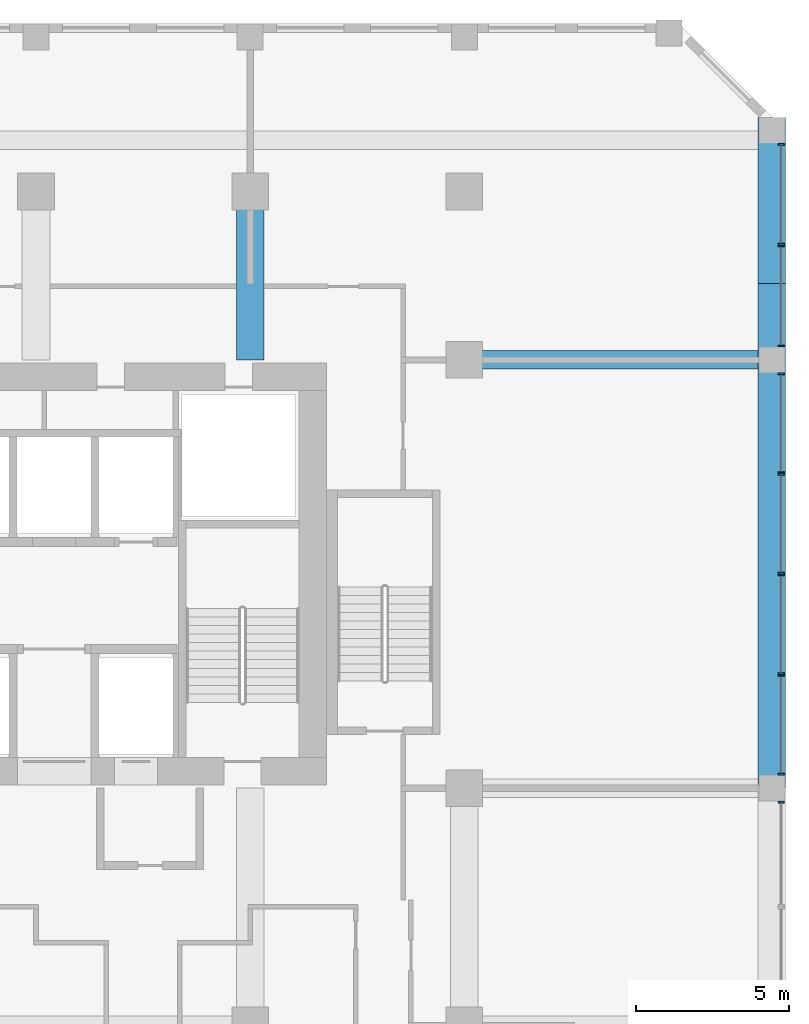
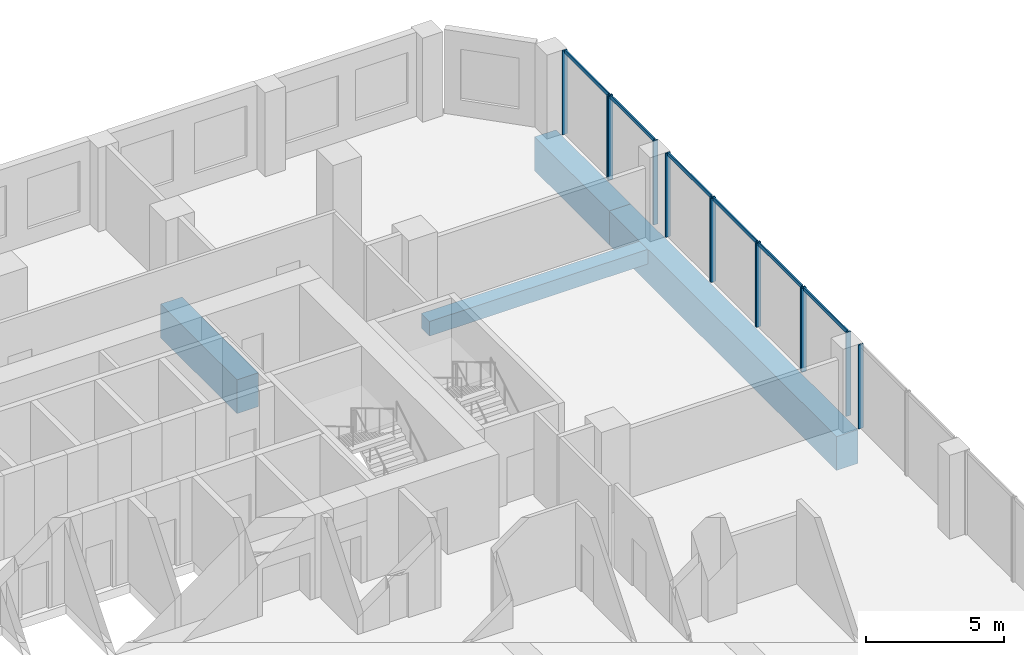
# One storey, part 7 of 17: 19 members, 4 beams, 7 elements without a shape of their own.
"""IFC4 building model written with IfcOpenShell, lengths in metres."""

from ifc_helpers import new_model, si_unit, direction, frame, origin, origin_2d, place, context, subcontext, project, spatial, rectangle, extrude, source, transform, mapped, material, material_profile, profile_set, type_object, element, aggregate, save


model = new_model("IFC4")

# Units and contexts
model_context = context("Model", 3, precision=1e-05, world=origin(), true_north=direction((0.0, 1.0)))
body_context = subcontext(model_context, "Body", "Model", "MODEL_VIEW")
ifc_project = project(units=[si_unit("LENGTHUNIT", "METRE"), si_unit("AREAUNIT", "SQUARE_METRE"), si_unit("VOLUMEUNIT", "CUBIC_METRE"), si_unit("PLANEANGLEUNIT", "RADIAN"), si_unit("MASSUNIT", "GRAM", prefix="KILO")], contexts=[model_context])

# Site, building, storey
site_placement = place(None, origin())
site = spatial("IfcSite", under=ifc_project, at=site_placement, CompositionType="ELEMENT")
building_placement = place(site_placement, origin())
building = spatial("IfcBuilding", under=site, at=building_placement, Name="Kilnfold Tower and Market Hall", CompositionType="ELEMENT")
storey_placement = place(building_placement, frame((0.0, 0.0, 100.60009765625)))
storey = spatial("IfcBuildingStorey", under=building, at=storey_placement, Name="L23", CompositionType="ELEMENT", Elevation=100.60009765625)

# Beams
ifc_material_1 = material(Name="Concrete C60", Category="concrete")
ifc_material_profile_1 = material_profile(ifc_material_1, rectangle(XDim=0.89990234375, YDim=1.5, at=origin_2d()), Name="RC 900x1500")
ifc_profile_set_1 = profile_set([ifc_material_profile_1], Name="Concrete C60")
beam_type_1 = type_object("IfcBeamType", Name="TRANSFER GIRDER 900X1500 C60", PredefinedType="BEAM", material=ifc_profile_set_1)
shared_shape_1 = source(origin(), body_context, "Body", "SweptSolid", [
    extrude(rectangle(XDim=0.89990234375, YDim=1.5, at=origin_2d()), origin(), (0.0, 0.0, 1.0), 5.550048828125),
])
beam_1_placement = place(storey_placement, frame((15.5, 22.0, -1.150146484375), z_axis=(0.0, 1.0, 0.0), x_axis=(-1.0, 0.0, 0.0)))
element("IfcBeam", 1, at=beam_1_placement, inside=storey, type_object=beam_type_1, Name="Beam TG1500-B3.27", PredefinedType="BEAM", context=body_context, shape_type="MappedRepresentation", body=[
    mapped(shared_shape_1, transform((0.0, 0.0, 0.0))),
])
shared_shape_2 = source(origin(), body_context, "Body", "SweptSolid", [
    extrude(rectangle(XDim=0.89990234375, YDim=1.5, at=origin_2d()), origin(), (0.0, 0.0, 1.0), 16.5),
])
beam_2_placement = place(storey_placement, frame((32.550048828125, 8.0, -1.150146484375), z_axis=(0.0, 1.0, 0.0), x_axis=(-1.0, 0.0, 0.0)))
element("IfcBeam", 2, at=beam_2_placement, inside=storey, type_object=beam_type_1, Name="Beam TG1500-B3.35", PredefinedType="BEAM", context=body_context, shape_type="MappedRepresentation", body=[
    mapped(shared_shape_2, transform((0.0, 0.0, 0.0))),
])
shared_shape_3 = source(origin(), body_context, "Body", "SweptSolid", [
    extrude(rectangle(XDim=0.89990234375, YDim=1.5, at=origin_2d()), origin(), (0.0, 0.0, 1.0), 5.425048828125),
])
beam_3_placement = place(storey_placement, frame((32.550048828125, 24.5, -1.150146484375), z_axis=(0.0, 1.0, 0.0), x_axis=(-1.0, 0.0, 0.0)))
element("IfcBeam", 3, at=beam_3_placement, inside=storey, type_object=beam_type_1, Name="Beam TG1500-B3.36", PredefinedType="BEAM", context=body_context, shape_type="MappedRepresentation", body=[
    mapped(shared_shape_3, transform((0.0, 0.0, 0.0))),
])
ifc_material_2 = material(Name="Concrete C45", Category="concrete")
ifc_material_profile_2 = material_profile(ifc_material_2, rectangle(XDim=0.60009765625, YDim=0.64990234375, at=origin_2d()), Name="RC 600x650")
ifc_profile_set_2 = profile_set([ifc_material_profile_2], Name="Concrete C45")
beam_type_2 = type_object("IfcBeamType", Name="BEAM 600X650 C45", PredefinedType="BEAM", material=ifc_profile_set_2)
shared_shape_4 = source(origin(), body_context, "Body", "SweptSolid", [
    extrude(rectangle(XDim=0.60009765625, YDim=0.64990234375, at=origin_2d()), origin(), (0.0, 0.0, 1.0), 9.150146484375),
])
beam_4_placement = place(storey_placement, frame((22.949951171875, 22.0, -0.72509765625), z_axis=(1.0, 0.0, 0.0), x_axis=(0.0, 1.0, 0.0)))
element("IfcBeam", 4, at=beam_4_placement, inside=storey, type_object=beam_type_2, Name="Beam BB650-B3.50", PredefinedType="BEAM", context=body_context, shape_type="MappedRepresentation", body=[
    mapped(shared_shape_4, transform((0.0, 0.0, 0.0))),
])

# Curtain wall, member
ifc_material_3 = material(Name="Aluminium and double glazing", Category="aluminium")
curtain_wall_type = type_object("IfcCurtainWallType", Name="CW OF2 VALLEY GLAZING", PredefinedType="NOTDEFINED", material=ifc_material_3)
curtain_wall_1_placement = place(storey_placement, origin())
curtain_wall_1 = element("IfcCurtainWall", 5, at=curtain_wall_1_placement, inside=storey, type_object=curtain_wall_type, Name="Curtain wall CW2 L23 E", PredefinedType="NOTDEFINED")
ifc_material_4 = material(Name="Aluminium", Category="aluminium")
ifc_material_profile_3 = material_profile(ifc_material_4, rectangle(XDim=0.06005859375, YDim=0.199951171875, at=origin_2d()), Name="MULLION 60x200")
ifc_profile_set_3 = profile_set([ifc_material_profile_3], Name="Aluminium")
member_type_1 = type_object("IfcMemberType", Name="MULLION 60X200", PredefinedType="MULLION", material=ifc_profile_set_3)
shared_shape_5 = source(origin(), body_context, "Body", "SweptSolid", [
    extrude(rectangle(XDim=0.06005859375, YDim=0.199951171875, at=origin_2d()), origin(), (0.0, 0.0, 1.0), 3.719970703125),
])
member_1_placement = place(storey_placement, frame((32.85009765625, 7.544921875, 0.0), z_axis=(0.0, 0.0, 1.0), x_axis=(0.0, 1.0, 0.0)))
member_1 = element("IfcMember", 6, at=member_1_placement, type_object=member_type_1, Name="CW2 mullion 2", PredefinedType="MULLION", context=body_context, shape_type="MappedRepresentation", body=[
    mapped(shared_shape_5, transform((0.0, 0.0, 0.0))),
])
aggregate(curtain_wall_1, [member_1])

# Curtain wall, members
curtain_wall_2_placement = place(storey_placement, origin())
curtain_wall_2 = element("IfcCurtainWall", 7, at=curtain_wall_2_placement, inside=storey, type_object=curtain_wall_type, Name="Curtain wall CW2 L23 E", PredefinedType="NOTDEFINED")
member_2_placement = place(storey_placement, frame((32.85009765625, 8.455078125, 0.0), z_axis=(0.0, 0.0, 1.0), x_axis=(0.0, 1.0, 0.0)))
member_2 = element("IfcMember", 8, at=member_2_placement, type_object=member_type_1, Name="CW2 mullion 1", PredefinedType="MULLION", context=body_context, shape_type="MappedRepresentation", body=[
    mapped(shared_shape_5, transform((0.0, 0.0, 0.0))),
])
member_3_placement = place(storey_placement, frame((32.85009765625, 11.6826171875, 0.0), z_axis=(0.0, 0.0, 1.0), x_axis=(0.0, 1.0, 0.0)))
member_3 = element("IfcMember", 9, at=member_3_placement, type_object=member_type_1, Name="CW2 mullion 2", PredefinedType="MULLION", context=body_context, shape_type="MappedRepresentation", body=[
    mapped(shared_shape_5, transform((0.0, 0.0, 0.0))),
])

curtain_wall_3_placement = place(storey_placement, origin())
curtain_wall_3 = element("IfcCurtainWall", 10, at=curtain_wall_3_placement, inside=storey, type_object=curtain_wall_type, Name="Curtain wall CW2 L23 E", PredefinedType="NOTDEFINED")
member_4_placement = place(storey_placement, frame((32.85009765625, 11.742431640625, 0.0), z_axis=(0.0, 0.0, 1.0), x_axis=(0.0, 1.0, 0.0)))
member_4 = element("IfcMember", 11, at=member_4_placement, type_object=member_type_1, Name="CW2 mullion 1", PredefinedType="MULLION", context=body_context, shape_type="MappedRepresentation", body=[
    mapped(shared_shape_5, transform((0.0, 0.0, 0.0))),
])
member_5_placement = place(storey_placement, frame((32.85009765625, 14.969970703125, 0.0), z_axis=(0.0, 0.0, 1.0), x_axis=(0.0, 1.0, 0.0)))
member_5 = element("IfcMember", 12, at=member_5_placement, type_object=member_type_1, Name="CW2 mullion 2", PredefinedType="MULLION", context=body_context, shape_type="MappedRepresentation", body=[
    mapped(shared_shape_5, transform((0.0, 0.0, 0.0))),
])

curtain_wall_4_placement = place(storey_placement, origin())
curtain_wall_4 = element("IfcCurtainWall", 13, at=curtain_wall_4_placement, inside=storey, type_object=curtain_wall_type, Name="Curtain wall CW2 L23 E", PredefinedType="NOTDEFINED")
member_6_placement = place(storey_placement, frame((32.85009765625, 15.030029296875, 0.0), z_axis=(0.0, 0.0, 1.0), x_axis=(0.0, 1.0, 0.0)))
member_6 = element("IfcMember", 14, at=member_6_placement, type_object=member_type_1, Name="CW2 mullion 1", PredefinedType="MULLION", context=body_context, shape_type="MappedRepresentation", body=[
    mapped(shared_shape_5, transform((0.0, 0.0, 0.0))),
])
member_7_placement = place(storey_placement, frame((32.85009765625, 18.257568359375, 0.0), z_axis=(0.0, 0.0, 1.0), x_axis=(0.0, 1.0, 0.0)))
member_7 = element("IfcMember", 15, at=member_7_placement, type_object=member_type_1, Name="CW2 mullion 2", PredefinedType="MULLION", context=body_context, shape_type="MappedRepresentation", body=[
    mapped(shared_shape_5, transform((0.0, 0.0, 0.0))),
])

curtain_wall_5_placement = place(storey_placement, origin())
curtain_wall_5 = element("IfcCurtainWall", 16, at=curtain_wall_5_placement, inside=storey, type_object=curtain_wall_type, Name="Curtain wall CW2 L23 E", PredefinedType="NOTDEFINED")
member_8_placement = place(storey_placement, frame((32.85009765625, 18.3173828125, 0.0), z_axis=(0.0, 0.0, 1.0), x_axis=(0.0, 1.0, 0.0)))
member_8 = element("IfcMember", 17, at=member_8_placement, type_object=member_type_1, Name="CW2 mullion 1", PredefinedType="MULLION", context=body_context, shape_type="MappedRepresentation", body=[
    mapped(shared_shape_5, transform((0.0, 0.0, 0.0))),
])
member_9_placement = place(storey_placement, frame((32.85009765625, 21.544921875, 0.0), z_axis=(0.0, 0.0, 1.0), x_axis=(0.0, 1.0, 0.0)))
member_9 = element("IfcMember", 18, at=member_9_placement, type_object=member_type_1, Name="CW2 mullion 2", PredefinedType="MULLION", context=body_context, shape_type="MappedRepresentation", body=[
    mapped(shared_shape_5, transform((0.0, 0.0, 0.0))),
])

curtain_wall_6_placement = place(storey_placement, origin())
curtain_wall_6 = element("IfcCurtainWall", 19, at=curtain_wall_6_placement, inside=storey, type_object=curtain_wall_type, Name="Curtain wall CW2 L23 E", PredefinedType="NOTDEFINED")
member_10_placement = place(storey_placement, frame((32.85009765625, 22.455078125, 0.0), z_axis=(0.0, 0.0, 1.0), x_axis=(0.0, 1.0, 0.0)))
member_10 = element("IfcMember", 20, at=member_10_placement, type_object=member_type_1, Name="CW2 mullion 1", PredefinedType="MULLION", context=body_context, shape_type="MappedRepresentation", body=[
    mapped(shared_shape_5, transform((0.0, 0.0, 0.0))),
])
member_11_placement = place(storey_placement, frame((32.85009765625, 25.719970703125, 0.0), z_axis=(0.0, 0.0, 1.0), x_axis=(0.0, 1.0, 0.0)))
member_11 = element("IfcMember", 21, at=member_11_placement, type_object=member_type_1, Name="CW2 mullion 2", PredefinedType="MULLION", context=body_context, shape_type="MappedRepresentation", body=[
    mapped(shared_shape_5, transform((0.0, 0.0, 0.0))),
])

curtain_wall_7_placement = place(storey_placement, origin())
curtain_wall_7 = element("IfcCurtainWall", 22, at=curtain_wall_7_placement, inside=storey, type_object=curtain_wall_type, Name="Curtain wall CW2 L23 E", PredefinedType="NOTDEFINED")
member_12_placement = place(storey_placement, frame((32.85009765625, 25.780029296875, 0.0), z_axis=(0.0, 0.0, 1.0), x_axis=(0.0, 1.0, 0.0)))
member_12 = element("IfcMember", 23, at=member_12_placement, type_object=member_type_1, Name="CW2 mullion 1", PredefinedType="MULLION", context=body_context, shape_type="MappedRepresentation", body=[
    mapped(shared_shape_5, transform((0.0, 0.0, 0.0))),
])
member_13_placement = place(storey_placement, frame((32.85009765625, 29.044921875, 0.0), z_axis=(0.0, 0.0, 1.0), x_axis=(0.0, 1.0, 0.0)))
member_13 = element("IfcMember", 24, at=member_13_placement, type_object=member_type_1, Name="CW2 mullion 2", PredefinedType="MULLION", context=body_context, shape_type="MappedRepresentation", body=[
    mapped(shared_shape_5, transform((0.0, 0.0, 0.0))),
])

# Member
ifc_material_5 = material(Name="Aluminium", Category="aluminium")
ifc_material_profile_4 = material_profile(ifc_material_5, rectangle(XDim=0.06005859375, YDim=0.159912109375, at=origin_2d()), Name="TRANSOM 60x160")
ifc_profile_set_4 = profile_set([ifc_material_profile_4], Name="Aluminium")
member_type_2 = type_object("IfcMemberType", Name="TRANSOM 60X160", PredefinedType="USERDEFINED", material=ifc_profile_set_4)
shared_shape_6 = source(origin(), body_context, "Body", "SweptSolid", [
    extrude(rectangle(XDim=0.06005859375, YDim=0.159912109375, at=origin_2d()), origin(), (0.0, 0.0, 1.0), 3.16748046875),
])
member_14_placement = place(storey_placement, frame((32.85009765625, 8.485107421875, 3.68994140625), z_axis=(0.0, 1.0, 0.0), x_axis=(-1.0, 0.0, 0.0)))
member_14 = element("IfcMember", 25, at=member_14_placement, type_object=member_type_2, Name="CW2 transom 1.2", ObjectType="TRANSOM", PredefinedType="USERDEFINED", context=body_context, shape_type="MappedRepresentation", body=[
    mapped(shared_shape_6, transform((0.0, 0.0, 0.0))),
])

aggregate(curtain_wall_2, [member_2, member_3, member_14])

member_15_placement = place(storey_placement, frame((32.85009765625, 11.7724609375, 3.68994140625), z_axis=(0.0, 1.0, 0.0), x_axis=(-1.0, 0.0, 0.0)))
member_15 = element("IfcMember", 26, at=member_15_placement, type_object=member_type_2, Name="CW2 transom 1.2", ObjectType="TRANSOM", PredefinedType="USERDEFINED", context=body_context, shape_type="MappedRepresentation", body=[
    mapped(shared_shape_6, transform((0.0, 0.0, 0.0))),
])

aggregate(curtain_wall_3, [member_4, member_5, member_15])

member_16_placement = place(storey_placement, frame((32.85009765625, 15.06005859375, 3.68994140625), z_axis=(0.0, 1.0, 0.0), x_axis=(-1.0, 0.0, 0.0)))
member_16 = element("IfcMember", 27, at=member_16_placement, type_object=member_type_2, Name="CW2 transom 1.2", ObjectType="TRANSOM", PredefinedType="USERDEFINED", context=body_context, shape_type="MappedRepresentation", body=[
    mapped(shared_shape_6, transform((0.0, 0.0, 0.0))),
])

aggregate(curtain_wall_4, [member_6, member_7, member_16])

member_17_placement = place(storey_placement, frame((32.85009765625, 18.347412109375, 3.68994140625), z_axis=(0.0, 1.0, 0.0), x_axis=(-1.0, 0.0, 0.0)))
member_17 = element("IfcMember", 28, at=member_17_placement, type_object=member_type_2, Name="CW2 transom 1.2", ObjectType="TRANSOM", PredefinedType="USERDEFINED", context=body_context, shape_type="MappedRepresentation", body=[
    mapped(shared_shape_6, transform((0.0, 0.0, 0.0))),
])

aggregate(curtain_wall_5, [member_8, member_9, member_17])

shared_shape_7 = source(origin(), body_context, "Body", "SweptSolid", [
    extrude(rectangle(XDim=0.06005859375, YDim=0.159912109375, at=origin_2d()), origin(), (0.0, 0.0, 1.0), 3.204833984375),
])
member_18_placement = place(storey_placement, frame((32.85009765625, 22.485107421875, 3.68994140625), z_axis=(0.0, 1.0, 0.0), x_axis=(-1.0, 0.0, 0.0)))
member_18 = element("IfcMember", 29, at=member_18_placement, type_object=member_type_2, Name="CW2 transom 1.2", ObjectType="TRANSOM", PredefinedType="USERDEFINED", context=body_context, shape_type="MappedRepresentation", body=[
    mapped(shared_shape_7, transform((0.0, 0.0, 0.0))),
])

aggregate(curtain_wall_6, [member_10, member_11, member_18])

member_19_placement = place(storey_placement, frame((32.85009765625, 25.81005859375, 3.68994140625), z_axis=(0.0, 1.0, 0.0), x_axis=(-1.0, 0.0, 0.0)))
member_19 = element("IfcMember", 30, at=member_19_placement, type_object=member_type_2, Name="CW2 transom 1.2", ObjectType="TRANSOM", PredefinedType="USERDEFINED", context=body_context, shape_type="MappedRepresentation", body=[
    mapped(shared_shape_7, transform((0.0, 0.0, 0.0))),
])

aggregate(curtain_wall_7, [member_12, member_13, member_19])

save(model, "model.ifc")
